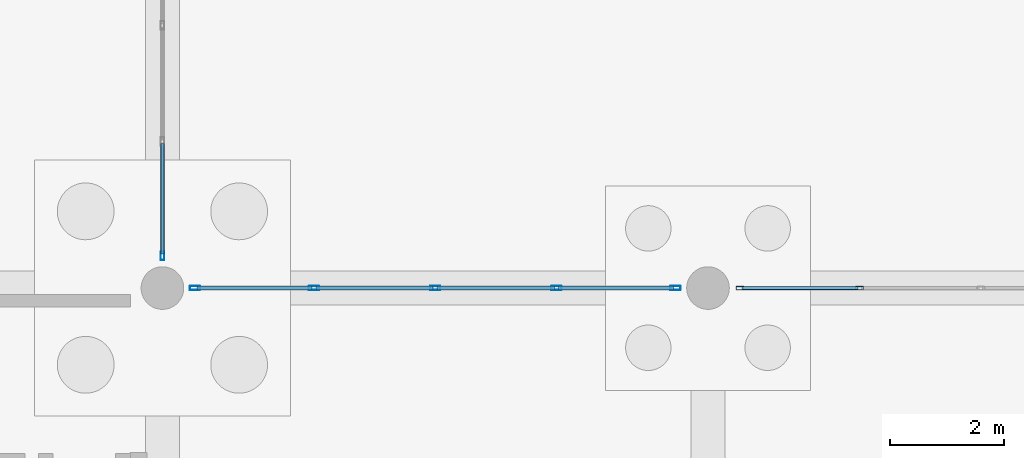
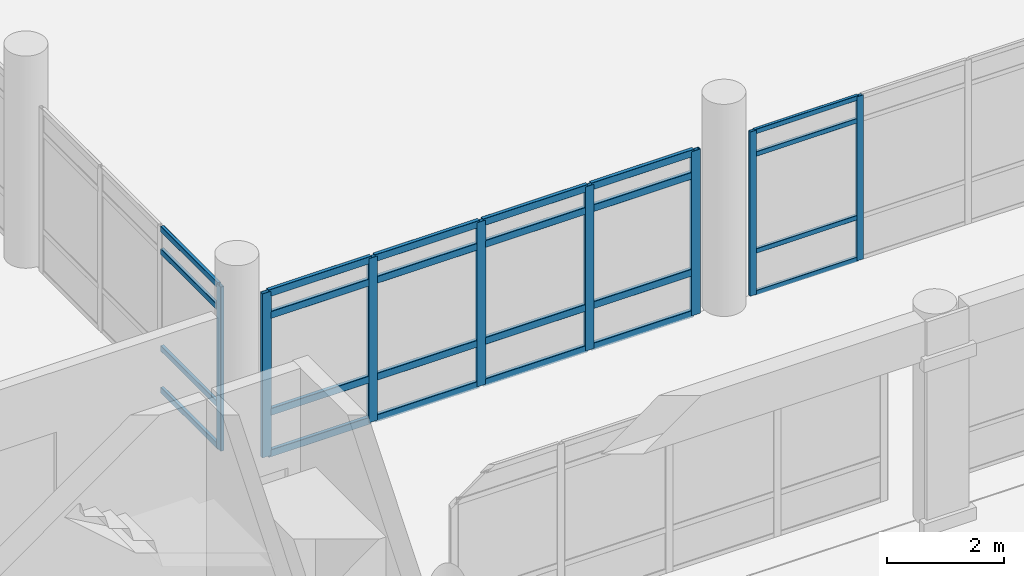
# One storey, part 97 of 196: 32 members, 3 elements without a shape of their own.
"""IFC4 building model written with IfcOpenShell, lengths in metres."""

import ifcopenshell
import ifcopenshell.guid

model = None  # the IFC model being written
_history = None  # IfcOwnerHistory: only IFC2X3 demands one
_inside = {}  # id of a spatial element -> (the spatial element, [elements in it])
_under = {}  # id of a project, library or spatial element -> (it, [spatial elements below it])
_declared = {}  # id of a project -> (the project, [libraries it declares])
_typed = {}  # id of a type object -> (the type object, [elements of that type])
_made_of = {}  # id of a material, layer set ... -> (it, [elements and type objects made of it])


def new_model(schema):
    """Start an empty IFC model of exactly this schema.

    Asked for "IFC4X3", IfcOpenShell would pick the latest addendum, in which some entities
    have other attributes; the version numbers below select the first issue.
    IFC2X3 requires an IfcOwnerHistory on every rooted entity: one is made here for all.
    """
    global model, _history
    if schema == "IFC4X3":
        model = ifcopenshell.file(schema_version=(4, 3, 0, 0))
    else:
        model = ifcopenshell.file(schema=schema)
    _inside.clear()
    _under.clear()
    _declared.clear()
    _typed.clear()
    _made_of.clear()
    _history = None
    if model.schema == "IFC2X3":
        org = make("IfcOrganization", Name="unknown")
        user = make(
            "IfcPersonAndOrganization",
            ThePerson=make("IfcPerson", FamilyName="unknown"),
            TheOrganization=org,
        )
        app = make(
            "IfcApplication",
            ApplicationDeveloper=org,
            Version="unknown",
            ApplicationFullName="unknown",
            ApplicationIdentifier="unknown",
        )
        _history = make(
            "IfcOwnerHistory",
            OwningUser=user,
            OwningApplication=app,
            ChangeAction="ADDED",
            CreationDate=0,
        )
    return model


def make(cls, **values):
    """One entity of the class cls with the attributes given. An attribute that is None is left unset."""
    return model.create_entity(
        cls, **{name: value for name, value in values.items() if value is not None}
    )


def rooted(cls, **values):
    """An entity with a GlobalId (a new one), such as an element, a storey or a relation."""
    return make(cls, GlobalId=ifcopenshell.guid.new(), OwnerHistory=_history, **values)


def si_unit(unit_type, name, prefix=None):
    """IfcSIUnit, for example si_unit("LENGTHUNIT", "METRE", prefix="MILLI")."""
    return make("IfcSIUnit", UnitType=unit_type, Prefix=prefix, Name=name)


def assignment(units):
    """IfcUnitAssignment: the units of a project."""
    return None if units is None else make("IfcUnitAssignment", Units=units)


def point(xyz):
    """IfcCartesianPoint."""
    return None if xyz is None else make("IfcCartesianPoint", Coordinates=xyz)


def direction(xyz):
    """IfcDirection."""
    return None if xyz is None else make("IfcDirection", DirectionRatios=xyz)


def frame(location, z_axis=None, x_axis=None):
    """IfcAxis2Placement3D, a coordinate frame: its origin and axes. An axis left out is left unset."""
    return make(
        "IfcAxis2Placement3D",
        Location=point(location),
        Axis=direction(z_axis),
        RefDirection=direction(x_axis),
    )


def frame_2d(location, x_axis=None):
    """IfcAxis2Placement2D, a coordinate frame in the plane: its origin and x axis."""
    return make(
        "IfcAxis2Placement2D", Location=point(location), RefDirection=direction(x_axis)
    )


def origin():
    """The frame at (0, 0, 0) with its axes left unset."""
    return frame((0.0, 0.0, 0.0))


def origin_2d():
    """The frame at (0, 0) in the plane with its x axis left unset."""
    return frame_2d((0.0, 0.0))


def place(relative_to, where):
    """IfcLocalPlacement: puts the frame where relative to a parent placement (None: the world)."""
    return make(
        "IfcLocalPlacement", PlacementRelTo=relative_to, RelativePlacement=where
    )


def context(
    kind, dimensions, precision=None, world=None, true_north=None, identifier=None
):
    """IfcGeometricRepresentationContext, for example the 3D "Model" context."""
    return make(
        "IfcGeometricRepresentationContext",
        ContextIdentifier=identifier,
        ContextType=kind,
        CoordinateSpaceDimension=dimensions,
        Precision=precision,
        WorldCoordinateSystem=world,
        TrueNorth=true_north,
    )


def subcontext(parent, identifier, kind, view, scale=None):
    """IfcGeometricRepresentationSubContext, for example "Body" below "Model"."""
    return make(
        "IfcGeometricRepresentationSubContext",
        ContextIdentifier=identifier,
        ContextType=kind,
        ParentContext=parent,
        TargetScale=scale,
        TargetView=view,
    )


def project(units=None, contexts=None):
    """IfcProject with its units and contexts."""
    return rooted(
        "IfcProject",
        Name="project",
        RepresentationContexts=contexts,
        UnitsInContext=assignment(units),
    )


def spatial(cls, under=None, at=None, **own):
    """A site, building, storey or space (cls), placed at a placement, below another one or the project."""
    s = rooted(cls, ObjectPlacement=at, **own)
    if under is not None:
        _under.setdefault(under.id(), (under, []))[1].append(s)
    return s


def profile(cls, at=None, kind="AREA", **sizes):
    """A parametric profile (cls). Its sizes go by their IFC names, for example OverallWidth=200.0."""
    return make(cls, ProfileType=kind, Position=at, **sizes)


def hollow_rectangle(**sizes):
    """IfcRectangleHollowProfileDef."""
    return profile("IfcRectangleHollowProfileDef", **sizes)


def extrude(swept, where, along, depth):
    """IfcExtrudedAreaSolid: the profile swept, set in the frame where, extruded along a direction by depth."""
    return make(
        "IfcExtrudedAreaSolid",
        SweptArea=swept,
        Position=where,
        ExtrudedDirection=direction(along),
        Depth=depth,
    )


def shape(context_of_items, identifier, shape_type, items):
    """IfcShapeRepresentation: the items that make up one representation, for example the "Body"."""
    return make(
        "IfcShapeRepresentation",
        ContextOfItems=context_of_items,
        RepresentationIdentifier=identifier,
        RepresentationType=shape_type,
        Items=items,
    )


def material(Name=None, Category=None):
    """IfcMaterial."""
    return make("IfcMaterial", Name=Name, Category=Category)


def layer(
    of_material, thickness, ventilated=None, Name=None, Category=None, Priority=None
):
    """IfcMaterialLayer: one layer of a wall or slab, of a material (None: an air gap)."""
    return make(
        "IfcMaterialLayer",
        Material=of_material,
        LayerThickness=thickness,
        IsVentilated=ventilated,
        Name=Name,
        Category=Category,
        Priority=Priority,
    )


def layer_set(layers, Name=None):
    """IfcMaterialLayerSet."""
    return make("IfcMaterialLayerSet", MaterialLayers=layers, LayerSetName=Name)


def material_profile(
    of_material, cross_section, Name=None, Category=None, Priority=None
):
    """IfcMaterialProfile: a cross section and its material."""
    return make(
        "IfcMaterialProfile",
        Name=Name,
        Material=of_material,
        Profile=cross_section,
        Priority=Priority,
        Category=Category,
    )


def profile_set(profiles, Name=None, composite=None):
    """IfcMaterialProfileSet."""
    return make(
        "IfcMaterialProfileSet",
        Name=Name,
        MaterialProfiles=profiles,
        CompositeProfile=composite,
    )


def made_of(thing, what):
    """Note that an element or type object is made of a material, layer set ...; save() writes the relation."""
    if what is not None:
        _made_of.setdefault(what.id(), (what, []))[1].append(thing)
    return thing


def type_object(cls, material=None, **own):
    """A type object (cls), such as IfcWallType, which elements share."""
    return made_of(rooted(cls, **own), material)


def element(
    cls,
    number,
    at=None,
    inside=None,
    cuts=None,
    type_object=None,
    material=None,
    context=None,
    identifier="Body",
    shape_type=None,
    held_by="IfcProductDefinitionShape",
    body=None,
    shapes=None,
    **own,
):
    """One element of the class cls, such as IfcWall. Its Tag is "e" and its number.

    at: its placement. inside: the storey or other place that contains it. cuts: it is an
    opening in that element (IfcRelVoidsElement). A single representation is given by context,
    identifier, shape_type and body (its items); several are given by shapes. held_by: the class
    of the entity that holds the representations. save() writes the other relations.
    """
    e = rooted(cls, Tag="e%d" % number, ObjectPlacement=at, **own)
    if body is not None:
        shapes = [shape(context, identifier, shape_type, body)]
    if shapes is not None:
        e.Representation = make(held_by, Representations=shapes)
    if inside is not None:
        _inside.setdefault(inside.id(), (inside, []))[1].append(e)
    if cuts is not None:
        rooted(
            "IfcRelVoidsElement", RelatingBuildingElement=cuts, RelatedOpeningElement=e
        )
    if type_object is not None:
        _typed.setdefault(type_object.id(), (type_object, []))[1].append(e)
    return made_of(e, material)


def aggregate(whole, parts):
    """IfcRelAggregates: a whole, such as a stair, and the parts it consists of."""
    return rooted("IfcRelAggregates", RelatingObject=whole, RelatedObjects=parts)


def save(model, path):
    """Write the relations noted so far, then the file.

    IfcRelAggregates (storeys below a building ...), IfcRelContainedInSpatialStructure (elements
    in a storey), IfcRelDefinesByType, IfcRelAssociatesMaterial and IfcRelDeclares: one each for
    every whole, place, type object, material and project.
    """
    for whole, parts in _under.values():
        aggregate(whole, parts)
    for where, things in _inside.values():
        rooted(
            "IfcRelContainedInSpatialStructure",
            RelatedElements=things,
            RelatingStructure=where,
        )
    for kind, things in _typed.values():
        rooted("IfcRelDefinesByType", RelatedObjects=things, RelatingType=kind)
    for what, things in _made_of.values():
        rooted("IfcRelAssociatesMaterial", RelatedObjects=things, RelatingMaterial=what)
    for by, libraries in _declared.values():
        rooted("IfcRelDeclares", RelatingContext=by, RelatedDefinitions=libraries)
    model.write(path)


model = new_model("IFC4")

# Units and contexts
model_context = context("Model", 3, precision=1e-05, world=origin(), true_north=direction((0.0, 1.0)))
body_context = subcontext(model_context, "Body", "Model", "MODEL_VIEW")
ifc_project = project(units=[si_unit("LENGTHUNIT", "METRE"), si_unit("AREAUNIT", "SQUARE_METRE"), si_unit("VOLUMEUNIT", "CUBIC_METRE"), si_unit("PLANEANGLEUNIT", "RADIAN"), si_unit("MASSUNIT", "GRAM", prefix="KILO")], contexts=[model_context])

# Site, building, storey
site_placement = place(None, origin())
site = spatial("IfcSite", under=ifc_project, at=site_placement, CompositionType="ELEMENT")
building_placement = place(site_placement, origin())
building = spatial("IfcBuilding", under=site, at=building_placement, Name="Asteropetra Specialist Clinic", CompositionType="ELEMENT")
storey_placement = place(building_placement, origin())
storey = spatial("IfcBuildingStorey", under=building, at=storey_placement, Name="L00", CompositionType="ELEMENT", Elevation=0.0)

# Curtain wall, members
ifc_material_1 = material(Name="Aluminium and low-E glass", Category="aluminium")
ifc_layer_1 = layer(ifc_material_1, 0.179931640625)
ifc_layer_set_1 = layer_set([ifc_layer_1], Name="Aluminium and low-E glass")
curtain_wall_type_1 = type_object("IfcCurtainWallType", Name="CW-SYS-04", PredefinedType="USERDEFINED", material=ifc_layer_set_1)
curtain_wall_1_placement = place(storey_placement, origin())
curtain_wall_1 = element("IfcCurtainWall", 1, at=curtain_wall_1_placement, inside=storey, type_object=curtain_wall_type_1, Name="Curtain Wall CW-011", ObjectType="UNITISED CURTAIN WALL", PredefinedType="USERDEFINED")
ifc_material_2 = material(Name="Aluminium 6063-T6", Category="aluminium")
ifc_material_profile_1 = material_profile(ifc_material_2, hollow_rectangle(XDim=0.06005859375, YDim=0.135009765625, WallThickness=0.00341796875, InnerFilletRadius=0.00341796875, OuterFilletRadius=0.007080078125, at=origin_2d()), Name="MUL 135x60x3.5")
ifc_profile_set_1 = profile_set([ifc_material_profile_1], Name="Aluminium 6063-T6")
member_type_1 = type_object("IfcMemberType", Name="CWM-135x60", PredefinedType="MULLION", material=ifc_profile_set_1)
member_1_placement = place(storey_placement, frame((58.1650390625, 76.800048828125, 0.0), z_axis=(0.0, 0.0, 1.0), x_axis=(0.0, 1.0, 0.0)))
member_1 = element("IfcMember", 2, at=member_1_placement, type_object=member_type_1, Name="CW-011 mullion 1", PredefinedType="MULLION", context=body_context, shape_type="SweptSolid", body=[
    extrude(hollow_rectangle(XDim=0.06005859375, YDim=0.135009765625, WallThickness=0.00341796875, InnerFilletRadius=0.00341796875, OuterFilletRadius=0.007080078125, at=origin_2d()), origin(), (0.0, 0.0, 1.0), 3.419921875),
])
member_2_placement = place(storey_placement, frame((60.267578125, 76.800048828125, 0.0), z_axis=(0.0, 0.0, 1.0), x_axis=(0.0, 1.0, 0.0)))
member_2 = element("IfcMember", 3, at=member_2_placement, type_object=member_type_1, Name="CW-011 mullion 2", PredefinedType="MULLION", context=body_context, shape_type="SweptSolid", body=[
    extrude(hollow_rectangle(XDim=0.06005859375, YDim=0.135009765625, WallThickness=0.00341796875, InnerFilletRadius=0.00341796875, OuterFilletRadius=0.007080078125, at=origin_2d()), origin(), (0.0, 0.0, 1.0), 3.419921875),
])

# Curtain wall, member
ifc_material_3 = material(Name="Aluminium and low-E glass", Category="aluminium")
ifc_layer_2 = layer(ifc_material_3, 0.14990234375)
ifc_layer_set_2 = layer_set([ifc_layer_2], Name="Aluminium and low-E glass")
curtain_wall_type_2 = type_object("IfcCurtainWallType", Name="CW-SYS-05", PredefinedType="USERDEFINED", material=ifc_layer_set_2)
curtain_wall_2_placement = place(storey_placement, origin())
curtain_wall_2 = element("IfcCurtainWall", 4, at=curtain_wall_2_placement, inside=storey, type_object=curtain_wall_type_2, Name="Curtain Wall CW-013", ObjectType="UNITISED CURTAIN WALL", PredefinedType="USERDEFINED")
ifc_material_4 = material(Name="Aluminium 6063-T6", Category="aluminium")
ifc_material_profile_2 = material_profile(ifc_material_4, hollow_rectangle(XDim=0.06494140625, YDim=0.14990234375, WallThickness=0.00390625, InnerFilletRadius=0.00390625, OuterFilletRadius=0.008056640625, at=origin_2d()), Name="MUL 150x65x4.0")
ifc_profile_set_2 = profile_set([ifc_material_profile_2], Name="Aluminium 6063-T6")
member_type_2 = type_object("IfcMemberType", Name="CWM-150x65", PredefinedType="MULLION", material=ifc_profile_set_2)
member_3_placement = place(storey_placement, frame((48.0, 77.367431640625, 0.0), z_axis=(0.0, 0.0, 1.0), x_axis=(1.0, 0.0, 0.0)))
member_3 = element("IfcMember", 5, at=member_3_placement, type_object=member_type_2, Name="CW-013 mullion 4", PredefinedType="MULLION", context=body_context, shape_type="SweptSolid", body=[
    extrude(hollow_rectangle(XDim=0.06494140625, YDim=0.14990234375, WallThickness=0.00390625, InnerFilletRadius=0.00390625, OuterFilletRadius=0.008056640625, at=origin_2d()), origin(), (0.0, 0.0, 1.0), 3.419921875),
])

# Curtain wall, members
ifc_material_5 = material(Name="Aluminium and low-E glass", Category="aluminium")
ifc_layer_3 = layer(ifc_material_5, 0.135009765625)
ifc_layer_set_3 = layer_set([ifc_layer_3], Name="Aluminium and low-E glass")
curtain_wall_type_3 = type_object("IfcCurtainWallType", Name="CW-SYS-03", PredefinedType="USERDEFINED", material=ifc_layer_set_3)
curtain_wall_3_placement = place(storey_placement, origin())
curtain_wall_3 = element("IfcCurtainWall", 6, at=curtain_wall_3_placement, inside=storey, type_object=curtain_wall_type_3, Name="Curtain Wall CW-009", ObjectType="UNITISED CURTAIN WALL", PredefinedType="USERDEFINED")
ifc_material_6 = material(Name="Aluminium 6063-T6", Category="aluminium")
ifc_material_profile_3 = material_profile(ifc_material_6, hollow_rectangle(XDim=0.074951171875, YDim=0.179931640625, WallThickness=0.00390625, InnerFilletRadius=0.00390625, OuterFilletRadius=0.008056640625, at=origin_2d()), Name="MUL 180x75x4.0")
ifc_profile_set_3 = profile_set([ifc_material_profile_3], Name="Aluminium 6063-T6")
member_type_3 = type_object("IfcMemberType", Name="CWM-180x75", PredefinedType="MULLION", material=ifc_profile_set_3)
member_4_placement = place(storey_placement, frame((48.572509765625, 76.800048828125, 0.0), z_axis=(0.0, 0.0, 1.0), x_axis=(0.0, 1.0, 0.0)))
member_4 = element("IfcMember", 7, at=member_4_placement, type_object=member_type_3, Name="CW-009 mullion 1", PredefinedType="MULLION", context=body_context, shape_type="SweptSolid", body=[
    extrude(hollow_rectangle(XDim=0.074951171875, YDim=0.179931640625, WallThickness=0.00390625, InnerFilletRadius=0.00390625, OuterFilletRadius=0.008056640625, at=origin_2d()), origin(), (0.0, 0.0, 1.0), 3.419921875),
])
member_5_placement = place(storey_placement, frame((50.66748046875, 76.800048828125, 0.0), z_axis=(0.0, 0.0, 1.0), x_axis=(0.0, 1.0, 0.0)))
member_5 = element("IfcMember", 8, at=member_5_placement, type_object=member_type_3, Name="CW-009 mullion 2", PredefinedType="MULLION", context=body_context, shape_type="SweptSolid", body=[
    extrude(hollow_rectangle(XDim=0.074951171875, YDim=0.179931640625, WallThickness=0.00390625, InnerFilletRadius=0.00390625, OuterFilletRadius=0.008056640625, at=origin_2d()), origin(), (0.0, 0.0, 1.0), 3.419921875),
])
member_6_placement = place(storey_placement, frame((52.800048828125, 76.800048828125, 0.0), z_axis=(0.0, 0.0, 1.0), x_axis=(0.0, 1.0, 0.0)))
member_6 = element("IfcMember", 9, at=member_6_placement, type_object=member_type_3, Name="CW-009 mullion 3", PredefinedType="MULLION", context=body_context, shape_type="SweptSolid", body=[
    extrude(hollow_rectangle(XDim=0.074951171875, YDim=0.179931640625, WallThickness=0.00390625, InnerFilletRadius=0.00390625, OuterFilletRadius=0.008056640625, at=origin_2d()), origin(), (0.0, 0.0, 1.0), 3.419921875),
])
member_7_placement = place(storey_placement, frame((54.9326171875, 76.800048828125, 0.0), z_axis=(0.0, 0.0, 1.0), x_axis=(0.0, 1.0, 0.0)))
member_7 = element("IfcMember", 10, at=member_7_placement, type_object=member_type_3, Name="CW-009 mullion 4", PredefinedType="MULLION", context=body_context, shape_type="SweptSolid", body=[
    extrude(hollow_rectangle(XDim=0.074951171875, YDim=0.179931640625, WallThickness=0.00390625, InnerFilletRadius=0.00390625, OuterFilletRadius=0.008056640625, at=origin_2d()), origin(), (0.0, 0.0, 1.0), 3.419921875),
])
member_8_placement = place(storey_placement, frame((57.027587890625, 76.800048828125, 0.0), z_axis=(0.0, 0.0, 1.0), x_axis=(0.0, 1.0, 0.0)))
member_8 = element("IfcMember", 11, at=member_8_placement, type_object=member_type_3, Name="CW-009 mullion 5", PredefinedType="MULLION", context=body_context, shape_type="SweptSolid", body=[
    extrude(hollow_rectangle(XDim=0.074951171875, YDim=0.179931640625, WallThickness=0.00390625, InnerFilletRadius=0.00390625, OuterFilletRadius=0.008056640625, at=origin_2d()), origin(), (0.0, 0.0, 1.0), 3.419921875),
])

# Member
ifc_material_7 = material(Name="Aluminium 6063-T6", Category="aluminium")
ifc_material_profile_4 = material_profile(ifc_material_7, hollow_rectangle(XDim=0.06005859375, YDim=0.10009765625, WallThickness=0.00341796875, InnerFilletRadius=0.00341796875, OuterFilletRadius=0.007080078125, at=origin_2d()), Name="TRN 100x60x3.5")
ifc_profile_set_4 = profile_set([ifc_material_profile_4], Name="Aluminium 6063-T6")
member_type_4 = type_object("IfcMemberType", Name="CWT-100x60", PredefinedType="USERDEFINED", material=ifc_profile_set_4)
member_9_placement = place(storey_placement, frame((58.195068359375, 76.800048828125, 0.030029296875), z_axis=(1.0, 0.0, 0.0), x_axis=(0.0, 1.0, 0.0)))
member_9 = element("IfcMember", 12, at=member_9_placement, type_object=member_type_4, Name="CW-011 transom 1.1", ObjectType="TRANSOM", PredefinedType="USERDEFINED", context=body_context, shape_type="SweptSolid", body=[
    extrude(hollow_rectangle(XDim=0.06005859375, YDim=0.10009765625, WallThickness=0.00341796875, InnerFilletRadius=0.00341796875, OuterFilletRadius=0.007080078125, at=origin_2d()), origin(), (0.0, 0.0, 1.0), 2.04248046875),
])

member_10_placement = place(storey_placement, frame((58.195068359375, 76.800048828125, 0.89990234375), z_axis=(1.0, 0.0, 0.0), x_axis=(0.0, 1.0, 0.0)))
member_10 = element("IfcMember", 13, at=member_10_placement, type_object=member_type_4, Name="CW-011 transom 1.2", ObjectType="TRANSOM", PredefinedType="USERDEFINED", context=body_context, shape_type="SweptSolid", body=[
    extrude(hollow_rectangle(XDim=0.06005859375, YDim=0.10009765625, WallThickness=0.00341796875, InnerFilletRadius=0.00341796875, OuterFilletRadius=0.007080078125, at=origin_2d()), origin(), (0.0, 0.0, 1.0), 2.04248046875),
])

member_11_placement = place(storey_placement, frame((58.195068359375, 76.800048828125, 2.919921875), z_axis=(1.0, 0.0, 0.0), x_axis=(0.0, 1.0, 0.0)))
member_11 = element("IfcMember", 14, at=member_11_placement, type_object=member_type_4, Name="CW-011 transom 1.3", ObjectType="TRANSOM", PredefinedType="USERDEFINED", context=body_context, shape_type="SweptSolid", body=[
    extrude(hollow_rectangle(XDim=0.06005859375, YDim=0.10009765625, WallThickness=0.00341796875, InnerFilletRadius=0.00341796875, OuterFilletRadius=0.007080078125, at=origin_2d()), origin(), (0.0, 0.0, 1.0), 2.04248046875),
])

member_12_placement = place(storey_placement, frame((58.195068359375, 76.800048828125, 3.389892578125), z_axis=(1.0, 0.0, 0.0), x_axis=(0.0, 1.0, 0.0)))
member_12 = element("IfcMember", 15, at=member_12_placement, type_object=member_type_4, Name="CW-011 transom 1.4", ObjectType="TRANSOM", PredefinedType="USERDEFINED", context=body_context, shape_type="SweptSolid", body=[
    extrude(hollow_rectangle(XDim=0.06005859375, YDim=0.10009765625, WallThickness=0.00341796875, InnerFilletRadius=0.00341796875, OuterFilletRadius=0.007080078125, at=origin_2d()), origin(), (0.0, 0.0, 1.0), 2.04248046875),
])

aggregate(curtain_wall_1, [member_1, member_2, member_9, member_10, member_11, member_12])

ifc_material_8 = material(Name="Aluminium 6063-T6", Category="aluminium")
ifc_material_profile_5 = material_profile(ifc_material_8, hollow_rectangle(XDim=0.06494140625, YDim=0.1201171875, WallThickness=0.00390625, InnerFilletRadius=0.00390625, OuterFilletRadius=0.008056640625, at=origin_2d()), Name="TRN 120x65x4.0")
ifc_profile_set_5 = profile_set([ifc_material_profile_5], Name="Aluminium 6063-T6")
member_type_5 = type_object("IfcMemberType", Name="CWT-120x65", PredefinedType="USERDEFINED", material=ifc_profile_set_5)
member_13_placement = place(storey_placement, frame((48.0, 79.345947265625, 0.032470703125), z_axis=(0.0, -1.0, 0.0), x_axis=(1.0, 0.0, 0.0)))
member_13 = element("IfcMember", 16, at=member_13_placement, type_object=member_type_5, Name="CW-013 transom 3.1", ObjectType="TRANSOM", PredefinedType="USERDEFINED", context=body_context, shape_type="SweptSolid", body=[
    extrude(hollow_rectangle(XDim=0.06494140625, YDim=0.1201171875, WallThickness=0.00390625, InnerFilletRadius=0.00390625, OuterFilletRadius=0.008056640625, at=origin_2d()), origin(), (0.0, 0.0, 1.0), 1.946044921875),
])

member_14_placement = place(storey_placement, frame((48.0, 79.345947265625, 0.89990234375), z_axis=(0.0, -1.0, 0.0), x_axis=(1.0, 0.0, 0.0)))
member_14 = element("IfcMember", 17, at=member_14_placement, type_object=member_type_5, Name="CW-013 transom 3.2", ObjectType="TRANSOM", PredefinedType="USERDEFINED", context=body_context, shape_type="SweptSolid", body=[
    extrude(hollow_rectangle(XDim=0.06494140625, YDim=0.1201171875, WallThickness=0.00390625, InnerFilletRadius=0.00390625, OuterFilletRadius=0.008056640625, at=origin_2d()), origin(), (0.0, 0.0, 1.0), 1.946044921875),
])

member_15_placement = place(storey_placement, frame((48.0, 79.345947265625, 2.919921875), z_axis=(0.0, -1.0, 0.0), x_axis=(1.0, 0.0, 0.0)))
member_15 = element("IfcMember", 18, at=member_15_placement, type_object=member_type_5, Name="CW-013 transom 3.3", ObjectType="TRANSOM", PredefinedType="USERDEFINED", context=body_context, shape_type="SweptSolid", body=[
    extrude(hollow_rectangle(XDim=0.06494140625, YDim=0.1201171875, WallThickness=0.00390625, InnerFilletRadius=0.00390625, OuterFilletRadius=0.008056640625, at=origin_2d()), origin(), (0.0, 0.0, 1.0), 1.946044921875),
])

member_16_placement = place(storey_placement, frame((48.0, 79.345947265625, 3.387451171875), z_axis=(0.0, -1.0, 0.0), x_axis=(1.0, 0.0, 0.0)))
member_16 = element("IfcMember", 19, at=member_16_placement, type_object=member_type_5, Name="CW-013 transom 3.4", ObjectType="TRANSOM", PredefinedType="USERDEFINED", context=body_context, shape_type="SweptSolid", body=[
    extrude(hollow_rectangle(XDim=0.06494140625, YDim=0.1201171875, WallThickness=0.00390625, InnerFilletRadius=0.00390625, OuterFilletRadius=0.008056640625, at=origin_2d()), origin(), (0.0, 0.0, 1.0), 1.946044921875),
])

aggregate(curtain_wall_2, [member_3, member_13, member_14, member_15, member_16])

ifc_material_9 = material(Name="Aluminium 6063-T6", Category="aluminium")
ifc_material_profile_6 = material_profile(ifc_material_9, hollow_rectangle(XDim=0.074951171875, YDim=0.14990234375, WallThickness=0.00390625, InnerFilletRadius=0.00390625, OuterFilletRadius=0.008056640625, at=origin_2d()), Name="TRN 150x75x4.0")
ifc_profile_set_6 = profile_set([ifc_material_profile_6], Name="Aluminium 6063-T6")
member_type_6 = type_object("IfcMemberType", Name="CWT-150x75", PredefinedType="USERDEFINED", material=ifc_profile_set_6)
member_17_placement = place(storey_placement, frame((48.610107421875, 76.800048828125, 0.03759765625), z_axis=(1.0, 0.0, 0.0), x_axis=(0.0, 1.0, 0.0)))
member_17 = element("IfcMember", 20, at=member_17_placement, type_object=member_type_6, Name="CW-009 transom 1.1", ObjectType="TRANSOM", PredefinedType="USERDEFINED", context=body_context, shape_type="SweptSolid", body=[
    extrude(hollow_rectangle(XDim=0.074951171875, YDim=0.14990234375, WallThickness=0.00390625, InnerFilletRadius=0.00390625, OuterFilletRadius=0.008056640625, at=origin_2d()), origin(), (0.0, 0.0, 1.0), 2.019775390625),
])

member_18_placement = place(storey_placement, frame((48.610107421875, 76.800048828125, 0.89990234375), z_axis=(1.0, 0.0, 0.0), x_axis=(0.0, 1.0, 0.0)))
member_18 = element("IfcMember", 21, at=member_18_placement, type_object=member_type_6, Name="CW-009 transom 1.2", ObjectType="TRANSOM", PredefinedType="USERDEFINED", context=body_context, shape_type="SweptSolid", body=[
    extrude(hollow_rectangle(XDim=0.074951171875, YDim=0.14990234375, WallThickness=0.00390625, InnerFilletRadius=0.00390625, OuterFilletRadius=0.008056640625, at=origin_2d()), origin(), (0.0, 0.0, 1.0), 2.019775390625),
])

member_19_placement = place(storey_placement, frame((48.610107421875, 76.800048828125, 2.919921875), z_axis=(1.0, 0.0, 0.0), x_axis=(0.0, 1.0, 0.0)))
member_19 = element("IfcMember", 22, at=member_19_placement, type_object=member_type_6, Name="CW-009 transom 1.3", ObjectType="TRANSOM", PredefinedType="USERDEFINED", context=body_context, shape_type="SweptSolid", body=[
    extrude(hollow_rectangle(XDim=0.074951171875, YDim=0.14990234375, WallThickness=0.00390625, InnerFilletRadius=0.00390625, OuterFilletRadius=0.008056640625, at=origin_2d()), origin(), (0.0, 0.0, 1.0), 2.019775390625),
])

member_20_placement = place(storey_placement, frame((48.610107421875, 76.800048828125, 3.382568359375), z_axis=(1.0, 0.0, 0.0), x_axis=(0.0, 1.0, 0.0)))
member_20 = element("IfcMember", 23, at=member_20_placement, type_object=member_type_6, Name="CW-009 transom 1.4", ObjectType="TRANSOM", PredefinedType="USERDEFINED", context=body_context, shape_type="SweptSolid", body=[
    extrude(hollow_rectangle(XDim=0.074951171875, YDim=0.14990234375, WallThickness=0.00390625, InnerFilletRadius=0.00390625, OuterFilletRadius=0.008056640625, at=origin_2d()), origin(), (0.0, 0.0, 1.0), 2.019775390625),
])

member_21_placement = place(storey_placement, frame((50.705078125, 76.800048828125, 0.03759765625), z_axis=(1.0, 0.0, 0.0), x_axis=(0.0, 1.0, 0.0)))
member_21 = element("IfcMember", 24, at=member_21_placement, type_object=member_type_6, Name="CW-009 transom 2.1", ObjectType="TRANSOM", PredefinedType="USERDEFINED", context=body_context, shape_type="SweptSolid", body=[
    extrude(hollow_rectangle(XDim=0.074951171875, YDim=0.14990234375, WallThickness=0.00390625, InnerFilletRadius=0.00390625, OuterFilletRadius=0.008056640625, at=origin_2d()), origin(), (0.0, 0.0, 1.0), 2.057373046875),
])

member_22_placement = place(storey_placement, frame((50.705078125, 76.800048828125, 0.89990234375), z_axis=(1.0, 0.0, 0.0), x_axis=(0.0, 1.0, 0.0)))
member_22 = element("IfcMember", 25, at=member_22_placement, type_object=member_type_6, Name="CW-009 transom 2.2", ObjectType="TRANSOM", PredefinedType="USERDEFINED", context=body_context, shape_type="SweptSolid", body=[
    extrude(hollow_rectangle(XDim=0.074951171875, YDim=0.14990234375, WallThickness=0.00390625, InnerFilletRadius=0.00390625, OuterFilletRadius=0.008056640625, at=origin_2d()), origin(), (0.0, 0.0, 1.0), 2.057373046875),
])

member_23_placement = place(storey_placement, frame((50.705078125, 76.800048828125, 2.919921875), z_axis=(1.0, 0.0, 0.0), x_axis=(0.0, 1.0, 0.0)))
member_23 = element("IfcMember", 26, at=member_23_placement, type_object=member_type_6, Name="CW-009 transom 2.3", ObjectType="TRANSOM", PredefinedType="USERDEFINED", context=body_context, shape_type="SweptSolid", body=[
    extrude(hollow_rectangle(XDim=0.074951171875, YDim=0.14990234375, WallThickness=0.00390625, InnerFilletRadius=0.00390625, OuterFilletRadius=0.008056640625, at=origin_2d()), origin(), (0.0, 0.0, 1.0), 2.057373046875),
])

member_24_placement = place(storey_placement, frame((50.705078125, 76.800048828125, 3.382568359375), z_axis=(1.0, 0.0, 0.0), x_axis=(0.0, 1.0, 0.0)))
member_24 = element("IfcMember", 27, at=member_24_placement, type_object=member_type_6, Name="CW-009 transom 2.4", ObjectType="TRANSOM", PredefinedType="USERDEFINED", context=body_context, shape_type="SweptSolid", body=[
    extrude(hollow_rectangle(XDim=0.074951171875, YDim=0.14990234375, WallThickness=0.00390625, InnerFilletRadius=0.00390625, OuterFilletRadius=0.008056640625, at=origin_2d()), origin(), (0.0, 0.0, 1.0), 2.057373046875),
])

member_25_placement = place(storey_placement, frame((52.83740234375, 76.800048828125, 0.03759765625), z_axis=(1.0, 0.0, 0.0), x_axis=(0.0, 1.0, 0.0)))
member_25 = element("IfcMember", 28, at=member_25_placement, type_object=member_type_6, Name="CW-009 transom 3.1", ObjectType="TRANSOM", PredefinedType="USERDEFINED", context=body_context, shape_type="SweptSolid", body=[
    extrude(hollow_rectangle(XDim=0.074951171875, YDim=0.14990234375, WallThickness=0.00390625, InnerFilletRadius=0.00390625, OuterFilletRadius=0.008056640625, at=origin_2d()), origin(), (0.0, 0.0, 1.0), 2.0576171875),
])

member_26_placement = place(storey_placement, frame((52.83740234375, 76.800048828125, 0.89990234375), z_axis=(1.0, 0.0, 0.0), x_axis=(0.0, 1.0, 0.0)))
member_26 = element("IfcMember", 29, at=member_26_placement, type_object=member_type_6, Name="CW-009 transom 3.2", ObjectType="TRANSOM", PredefinedType="USERDEFINED", context=body_context, shape_type="SweptSolid", body=[
    extrude(hollow_rectangle(XDim=0.074951171875, YDim=0.14990234375, WallThickness=0.00390625, InnerFilletRadius=0.00390625, OuterFilletRadius=0.008056640625, at=origin_2d()), origin(), (0.0, 0.0, 1.0), 2.0576171875),
])

member_27_placement = place(storey_placement, frame((52.83740234375, 76.800048828125, 2.919921875), z_axis=(1.0, 0.0, 0.0), x_axis=(0.0, 1.0, 0.0)))
member_27 = element("IfcMember", 30, at=member_27_placement, type_object=member_type_6, Name="CW-009 transom 3.3", ObjectType="TRANSOM", PredefinedType="USERDEFINED", context=body_context, shape_type="SweptSolid", body=[
    extrude(hollow_rectangle(XDim=0.074951171875, YDim=0.14990234375, WallThickness=0.00390625, InnerFilletRadius=0.00390625, OuterFilletRadius=0.008056640625, at=origin_2d()), origin(), (0.0, 0.0, 1.0), 2.0576171875),
])

member_28_placement = place(storey_placement, frame((52.83740234375, 76.800048828125, 3.382568359375), z_axis=(1.0, 0.0, 0.0), x_axis=(0.0, 1.0, 0.0)))
member_28 = element("IfcMember", 31, at=member_28_placement, type_object=member_type_6, Name="CW-009 transom 3.4", ObjectType="TRANSOM", PredefinedType="USERDEFINED", context=body_context, shape_type="SweptSolid", body=[
    extrude(hollow_rectangle(XDim=0.074951171875, YDim=0.14990234375, WallThickness=0.00390625, InnerFilletRadius=0.00390625, OuterFilletRadius=0.008056640625, at=origin_2d()), origin(), (0.0, 0.0, 1.0), 2.0576171875),
])

member_29_placement = place(storey_placement, frame((54.969970703125, 76.800048828125, 0.03759765625), z_axis=(1.0, 0.0, 0.0), x_axis=(0.0, 1.0, 0.0)))
member_29 = element("IfcMember", 32, at=member_29_placement, type_object=member_type_6, Name="CW-009 transom 4.1", ObjectType="TRANSOM", PredefinedType="USERDEFINED", context=body_context, shape_type="SweptSolid", body=[
    extrude(hollow_rectangle(XDim=0.074951171875, YDim=0.14990234375, WallThickness=0.00390625, InnerFilletRadius=0.00390625, OuterFilletRadius=0.008056640625, at=origin_2d()), origin(), (0.0, 0.0, 1.0), 2.02001953125),
])

member_30_placement = place(storey_placement, frame((54.969970703125, 76.800048828125, 0.89990234375), z_axis=(1.0, 0.0, 0.0), x_axis=(0.0, 1.0, 0.0)))
member_30 = element("IfcMember", 33, at=member_30_placement, type_object=member_type_6, Name="CW-009 transom 4.2", ObjectType="TRANSOM", PredefinedType="USERDEFINED", context=body_context, shape_type="SweptSolid", body=[
    extrude(hollow_rectangle(XDim=0.074951171875, YDim=0.14990234375, WallThickness=0.00390625, InnerFilletRadius=0.00390625, OuterFilletRadius=0.008056640625, at=origin_2d()), origin(), (0.0, 0.0, 1.0), 2.02001953125),
])

member_31_placement = place(storey_placement, frame((54.969970703125, 76.800048828125, 2.919921875), z_axis=(1.0, 0.0, 0.0), x_axis=(0.0, 1.0, 0.0)))
member_31 = element("IfcMember", 34, at=member_31_placement, type_object=member_type_6, Name="CW-009 transom 4.3", ObjectType="TRANSOM", PredefinedType="USERDEFINED", context=body_context, shape_type="SweptSolid", body=[
    extrude(hollow_rectangle(XDim=0.074951171875, YDim=0.14990234375, WallThickness=0.00390625, InnerFilletRadius=0.00390625, OuterFilletRadius=0.008056640625, at=origin_2d()), origin(), (0.0, 0.0, 1.0), 2.02001953125),
])

member_32_placement = place(storey_placement, frame((54.969970703125, 76.800048828125, 3.382568359375), z_axis=(1.0, 0.0, 0.0), x_axis=(0.0, 1.0, 0.0)))
member_32 = element("IfcMember", 35, at=member_32_placement, type_object=member_type_6, Name="CW-009 transom 4.4", ObjectType="TRANSOM", PredefinedType="USERDEFINED", context=body_context, shape_type="SweptSolid", body=[
    extrude(hollow_rectangle(XDim=0.074951171875, YDim=0.14990234375, WallThickness=0.00390625, InnerFilletRadius=0.00390625, OuterFilletRadius=0.008056640625, at=origin_2d()), origin(), (0.0, 0.0, 1.0), 2.02001953125),
])

aggregate(curtain_wall_3, [member_4, member_5, member_6, member_7, member_8, member_17, member_18, member_19, member_20, member_21, member_22, member_23, member_24, member_25, member_26, member_27, member_28, member_29, member_30, member_31, member_32])

save(model, "model.ifc")
